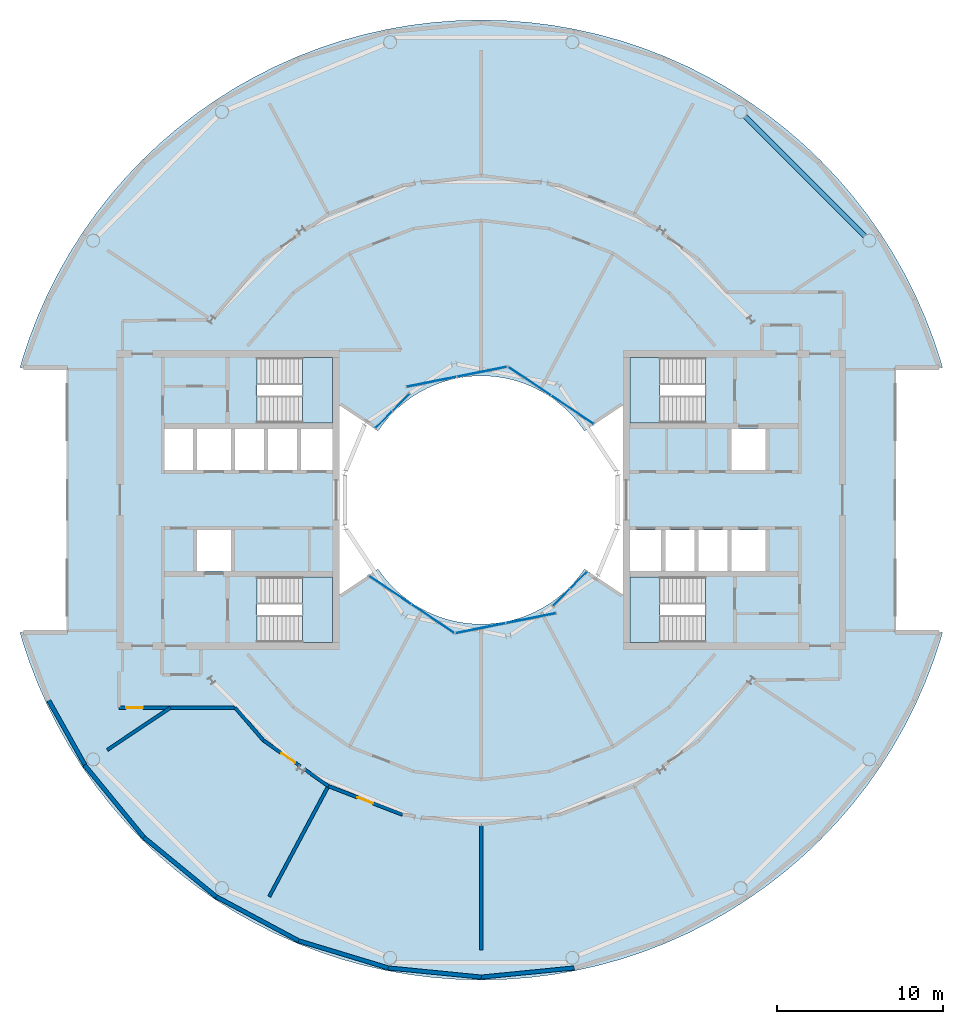
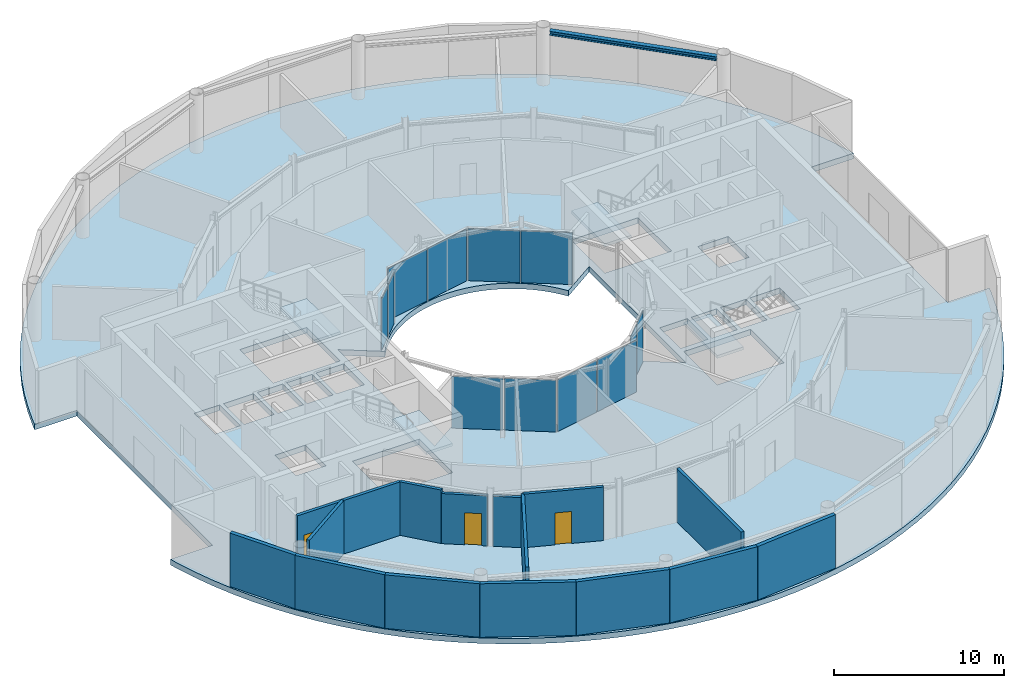
# One storey, part 11 of 19: 15 walls, 12 plates, 5 slabs, 3 doors, 1 beam, 3 openings, 10 elements without a shape of their own.
"""IFC4 building model written with IfcOpenShell, lengths in metres."""

from ifc_helpers import new_model, si_unit, direction, frame, frame_2d, origin, origin_2d, place, context, subcontext, project, spatial, polyline, rectangle, i_section, outline, extrude, material, layer, layer_set, material_profile, profile_set, type_object, element, fill, aggregate, save


model = new_model("IFC4")

# Units and contexts
model_context = context("Model", 3, precision=1e-05, world=origin(), true_north=direction((0.0, 1.0)))
body_context = subcontext(model_context, "Body", "Model", "MODEL_VIEW")
ifc_project = project(units=[si_unit("LENGTHUNIT", "METRE"), si_unit("AREAUNIT", "SQUARE_METRE"), si_unit("VOLUMEUNIT", "CUBIC_METRE"), si_unit("PLANEANGLEUNIT", "RADIAN"), si_unit("MASSUNIT", "GRAM", prefix="KILO")], contexts=[model_context])

# Site, building, storey
site_placement = place(None, origin())
site = spatial("IfcSite", under=ifc_project, at=site_placement, CompositionType="ELEMENT")
building_placement = place(site_placement, origin())
building = spatial("IfcBuilding", under=site, at=building_placement, Name="Maasbend Ring Residences", CompositionType="ELEMENT")
storey_placement = place(building_placement, frame((0.0, 0.0, 186.0)))
storey = spatial("IfcBuildingStorey", under=building, at=storey_placement, Name="L53", CompositionType="ELEMENT", Elevation=186.0)

# Beam
ifc_material_1 = material(Name="Steel S355J2", Category="steel")
ifc_material_profile = material_profile(ifc_material_1, i_section(OverallWidth=0.300048828125, OverallDepth=0.300048828125, WebThickness=0.010986328125, FlangeThickness=0.01904296875, FilletRadius=0.027099609375, at=origin_2d()), Name="HEB 300")
ifc_profile_set = profile_set([ifc_material_profile], Name="Steel S355J2")
beam_type = type_object("IfcBeamType", Name="Spandrel ring beam HEB 300", PredefinedType="SPANDREL", material=ifc_profile_set)
beam_placement = place(storey_placement, frame((23.159912109375, 15.95458984375, 3.699951171875), z_axis=(-0.707106781187, 0.707106781187, 0.0), x_axis=(-0.707106781187, -0.707106781187, 0.0)))
element("IfcBeam", 1, at=beam_placement, inside=storey, type_object=beam_type, Name="Spandrel ring beam", PredefinedType="SPANDREL", context=body_context, shape_type="SweptSolid", body=[
    extrude(i_section(OverallWidth=0.300048828125, OverallDepth=0.300048828125, WebThickness=0.010986328125, FlangeThickness=0.01904296875, FilletRadius=0.027099609375, at=origin_2d()), origin(), (0.0, 0.0, 1.0), 10.18994140625),
])

# Stair, slab
ifc_material_2 = material(Name="Concrete C40/50", Category="concrete")
stair_type = type_object("IfcStairType", Name="CORE STAIR 24 RISERS", PredefinedType="HALF_TURN_STAIR", material=ifc_material_2)
stair_1_placement = place(storey_placement, origin())
stair_1 = element("IfcStair", 2, at=stair_1_placement, inside=storey, type_object=stair_type, Name="L53 Exit stair ST-E1", PredefinedType="HALF_TURN_STAIR")
ifc_material_3 = material(Name="Concrete C40/50", Category="concrete")
ifc_layer_1 = layer(ifc_material_3, 0.199951171875)
ifc_layer_set_1 = layer_set([ifc_layer_1], Name="Concrete C40/50")
slab_type_1 = type_object("IfcSlabType", Name="CORE STAIR LANDING 200", PredefinedType="LANDING", material=ifc_layer_set_1)
slab_1_placement = place(storey_placement, frame((0.0, 0.0, 1.89990234375)))
slab_1 = element("IfcSlab", 3, at=slab_1_placement, type_object=slab_type_1, Name="ST-E1 landing 1", PredefinedType="LANDING", context=body_context, shape_type="SweptSolid", body=[
    extrude(outline(polyline([(10.800048828125, 8.60009765625), (9.0, 8.60009765625), (9.0, 4.64990234375), (10.800048828125, 4.64990234375), (10.800048828125, 8.60009765625)])), origin(), (0.0, 0.0, 1.0), 0.2001953125),
])
aggregate(stair_1, [slab_1])

stair_2_placement = place(storey_placement, origin())
stair_2 = element("IfcStair", 4, at=stair_2_placement, inside=storey, type_object=stair_type, Name="L53 Exit stair ST-E2", PredefinedType="HALF_TURN_STAIR")
slab_2_placement = place(storey_placement, frame((0.0, 0.0, 1.89990234375)))
slab_2 = element("IfcSlab", 5, at=slab_2_placement, type_object=slab_type_1, Name="ST-E2 landing 1", PredefinedType="LANDING", context=body_context, shape_type="SweptSolid", body=[
    extrude(outline(polyline([(10.800048828125, -4.64990234375), (9.0, -4.64990234375), (9.0, -8.60009765625), (10.800048828125, -8.60009765625), (10.800048828125, -4.64990234375)])), origin(), (0.0, 0.0, 1.0), 0.2001953125),
])
aggregate(stair_2, [slab_2])

stair_3_placement = place(storey_placement, origin())
stair_3 = element("IfcStair", 6, at=stair_3_placement, inside=storey, type_object=stair_type, Name="L53 Exit stair ST-W1", PredefinedType="HALF_TURN_STAIR")
slab_3_placement = place(storey_placement, frame((0.0, 0.0, 1.89990234375)))
slab_3 = element("IfcSlab", 7, at=slab_3_placement, type_object=slab_type_1, Name="ST-W1 landing 1", PredefinedType="LANDING", context=body_context, shape_type="SweptSolid", body=[
    extrude(outline(polyline([(-10.800048828125, -8.60009765625), (-9.0, -8.60009765625), (-9.0, -4.64990234375), (-10.800048828125, -4.64990234375), (-10.800048828125, -8.60009765625)])), origin(), (0.0, 0.0, 1.0), 0.2001953125),
])
aggregate(stair_3, [slab_3])

stair_4_placement = place(storey_placement, origin())
stair_4 = element("IfcStair", 8, at=stair_4_placement, inside=storey, type_object=stair_type, Name="L53 Exit stair ST-W2", PredefinedType="HALF_TURN_STAIR")
slab_4_placement = place(storey_placement, frame((0.0, 0.0, 1.89990234375)))
slab_4 = element("IfcSlab", 9, at=slab_4_placement, type_object=slab_type_1, Name="ST-W2 landing 1", PredefinedType="LANDING", context=body_context, shape_type="SweptSolid", body=[
    extrude(outline(polyline([(-10.800048828125, 4.64990234375), (-9.0, 4.64990234375), (-9.0, 8.60009765625), (-10.800048828125, 8.60009765625), (-10.800048828125, 4.64990234375)])), origin(), (0.0, 0.0, 1.0), 0.2001953125),
])
aggregate(stair_4, [slab_4])

# Curtain wall, plates
ifc_material_4 = material(Name="Aluminium and clear glass", Category="aluminium")
ifc_layer_2 = layer(ifc_material_4, 0.179931640625)
ifc_layer_set_2 = layer_set([ifc_layer_2], Name="CW-W")
curtain_wall_type = type_object("IfcCurtainWallType", Name="CW-W", PredefinedType="NOTDEFINED", material=ifc_layer_set_2)
curtain_wall_1_placement = place(storey_placement, origin())
curtain_wall_1 = element("IfcCurtainWall", 10, at=curtain_wall_1_placement, inside=storey, type_object=curtain_wall_type, Name="Well curtain wall N1", PredefinedType="NOTDEFINED")
ifc_material_5 = material(Name="Glass clear laminated", Category="glass")
ifc_layer_3 = layer(ifc_material_5, 0.031982421875)
ifc_layer_set_3 = layer_set([ifc_layer_3], Name="CWP-W")
plate_type = type_object("IfcPlateType", Name="CWP-W", PredefinedType="CURTAIN_PANEL", material=ifc_layer_set_3)
plate_1_placement = place(storey_placement, frame((5.51123046875, 5.44580078125, 0.0), z_axis=(0.0, 0.0, 1.0), x_axis=(-0.831469612303, 0.55557023302, 0.0)))
plate_1 = element("IfcPlate", 11, at=plate_1_placement, type_object=plate_type, Name="Glass panel well face", PredefinedType="CURTAIN_PANEL", context=body_context, shape_type="SweptSolid", body=[
    extrude(rectangle(XDim=3.053955078125, YDim=0.031982421875, at=origin_2d()), origin(), (0.0, 0.0, 1.0), 3.72998046875),
])
plate_2_placement = place(storey_placement, frame((2.922119140625, 7.17578125, 0.0), z_axis=(0.0, 0.0, 1.0), x_axis=(-0.831469612303, 0.55557023302, 0.0)))
plate_2 = element("IfcPlate", 12, at=plate_2_placement, type_object=plate_type, Name="Glass panel well face", PredefinedType="CURTAIN_PANEL", context=body_context, shape_type="SweptSolid", body=[
    extrude(rectangle(XDim=3.053955078125, YDim=0.031982421875, at=origin_2d()), origin(), (0.0, 0.0, 1.0), 3.72998046875),
])
aggregate(curtain_wall_1, [plate_1, plate_2])

curtain_wall_2_placement = place(storey_placement, origin())
curtain_wall_2 = element("IfcCurtainWall", 13, at=curtain_wall_2_placement, inside=storey, type_object=curtain_wall_type, Name="Well curtain wall N2", PredefinedType="NOTDEFINED")
plate_3_placement = place(storey_placement, frame((0.04638671875, 7.747802734375, 0.0), z_axis=(0.0, 0.0, 1.0), x_axis=(-0.980785280403, -0.195090322016, 0.0)))
plate_3 = element("IfcPlate", 14, at=plate_3_placement, type_object=plate_type, Name="Glass panel well face", PredefinedType="CURTAIN_PANEL", context=body_context, shape_type="SweptSolid", body=[
    extrude(rectangle(XDim=3.053955078125, YDim=0.031982421875, at=origin_2d()), origin(), (0.0, 0.0, 1.0), 3.72998046875),
])
plate_4_placement = place(storey_placement, frame((-3.0078125, 7.140380859375, 0.0), z_axis=(0.0, 0.0, 1.0), x_axis=(-0.980785280403, -0.195090322016, 0.0)))
plate_4 = element("IfcPlate", 15, at=plate_4_placement, type_object=plate_type, Name="Glass panel well face", PredefinedType="CURTAIN_PANEL", context=body_context, shape_type="SweptSolid", body=[
    extrude(rectangle(XDim=3.053955078125, YDim=0.031982421875, at=origin_2d()), origin(), (0.0, 0.0, 1.0), 3.72998046875),
])
aggregate(curtain_wall_2, [plate_3, plate_4])

curtain_wall_3_placement = place(storey_placement, origin())
curtain_wall_3 = element("IfcCurtainWall", 16, at=curtain_wall_3_placement, inside=storey, type_object=curtain_wall_type, Name="Well curtain wall N3", PredefinedType="NOTDEFINED")
plate_5_placement = place(storey_placement, frame((-4.84375, 5.89013671875, 0.0), z_axis=(0.0, 0.0, 1.0), x_axis=(-0.707106781187, -0.707106781187, 0.0)))
plate_5 = element("IfcPlate", 17, at=plate_5_placement, type_object=plate_type, Name="Glass panel well face", PredefinedType="CURTAIN_PANEL", context=body_context, shape_type="SweptSolid", body=[
    extrude(rectangle(XDim=1.419677734375, YDim=0.031982421875, at=origin_2d()), origin(), (0.0, 0.0, 1.0), 3.72998046875),
])
plate_6_placement = place(storey_placement, frame((-5.89013671875, 4.84375, 0.0), z_axis=(0.0, 0.0, 1.0), x_axis=(-0.707106781187, -0.707106781187, 0.0)))
plate_6 = element("IfcPlate", 18, at=plate_6_placement, type_object=plate_type, Name="Glass panel well face", PredefinedType="CURTAIN_PANEL", context=body_context, shape_type="SweptSolid", body=[
    extrude(rectangle(XDim=1.419677734375, YDim=0.031982421875, at=origin_2d()), origin(), (0.0, 0.0, 1.0), 3.72998046875),
])
aggregate(curtain_wall_3, [plate_5, plate_6])

curtain_wall_4_placement = place(storey_placement, origin())
curtain_wall_4 = element("IfcCurtainWall", 19, at=curtain_wall_4_placement, inside=storey, type_object=curtain_wall_type, Name="Well curtain wall S1", PredefinedType="NOTDEFINED")
plate_7_placement = place(storey_placement, frame((-5.51123046875, -5.44580078125, 0.0), z_axis=(0.0, 0.0, 1.0), x_axis=(0.831469612303, -0.55557023302, 0.0)))
plate_7 = element("IfcPlate", 20, at=plate_7_placement, type_object=plate_type, Name="Glass panel well face", PredefinedType="CURTAIN_PANEL", context=body_context, shape_type="SweptSolid", body=[
    extrude(rectangle(XDim=3.053955078125, YDim=0.031982421875, at=origin_2d()), origin(), (0.0, 0.0, 1.0), 3.72998046875),
])
plate_8_placement = place(storey_placement, frame((-2.922119140625, -7.17578125, 0.0), z_axis=(0.0, 0.0, 1.0), x_axis=(0.831469612303, -0.55557023302, 0.0)))
plate_8 = element("IfcPlate", 21, at=plate_8_placement, type_object=plate_type, Name="Glass panel well face", PredefinedType="CURTAIN_PANEL", context=body_context, shape_type="SweptSolid", body=[
    extrude(rectangle(XDim=3.053955078125, YDim=0.031982421875, at=origin_2d()), origin(), (0.0, 0.0, 1.0), 3.72998046875),
])
aggregate(curtain_wall_4, [plate_7, plate_8])

curtain_wall_5_placement = place(storey_placement, origin())
curtain_wall_5 = element("IfcCurtainWall", 22, at=curtain_wall_5_placement, inside=storey, type_object=curtain_wall_type, Name="Well curtain wall S2", PredefinedType="NOTDEFINED")
plate_9_placement = place(storey_placement, frame((-0.04638671875, -7.747802734375, 0.0), z_axis=(0.0, 0.0, 1.0), x_axis=(0.980785280403, 0.195090322016, 0.0)))
plate_9 = element("IfcPlate", 23, at=plate_9_placement, type_object=plate_type, Name="Glass panel well face", PredefinedType="CURTAIN_PANEL", context=body_context, shape_type="SweptSolid", body=[
    extrude(rectangle(XDim=3.053955078125, YDim=0.031982421875, at=origin_2d()), origin(), (0.0, 0.0, 1.0), 3.72998046875),
])
plate_10_placement = place(storey_placement, frame((3.0078125, -7.140380859375, 0.0), z_axis=(0.0, 0.0, 1.0), x_axis=(0.980785280403, 0.195090322016, 0.0)))
plate_10 = element("IfcPlate", 24, at=plate_10_placement, type_object=plate_type, Name="Glass panel well face", PredefinedType="CURTAIN_PANEL", context=body_context, shape_type="SweptSolid", body=[
    extrude(rectangle(XDim=3.053955078125, YDim=0.031982421875, at=origin_2d()), origin(), (0.0, 0.0, 1.0), 3.72998046875),
])
aggregate(curtain_wall_5, [plate_9, plate_10])

curtain_wall_6_placement = place(storey_placement, origin())
curtain_wall_6 = element("IfcCurtainWall", 25, at=curtain_wall_6_placement, inside=storey, type_object=curtain_wall_type, Name="Well curtain wall S3", PredefinedType="NOTDEFINED")
plate_11_placement = place(storey_placement, frame((4.84375, -5.89013671875, 0.0), z_axis=(0.0, 0.0, 1.0), x_axis=(0.707106781187, 0.707106781187, 0.0)))
plate_11 = element("IfcPlate", 26, at=plate_11_placement, type_object=plate_type, Name="Glass panel well face", PredefinedType="CURTAIN_PANEL", context=body_context, shape_type="SweptSolid", body=[
    extrude(rectangle(XDim=1.419677734375, YDim=0.031982421875, at=origin_2d()), origin(), (0.0, 0.0, 1.0), 3.72998046875),
])
plate_12_placement = place(storey_placement, frame((5.89013671875, -4.84375, 0.0), z_axis=(0.0, 0.0, 1.0), x_axis=(0.707106781187, 0.707106781187, 0.0)))
plate_12 = element("IfcPlate", 27, at=plate_12_placement, type_object=plate_type, Name="Glass panel well face", PredefinedType="CURTAIN_PANEL", context=body_context, shape_type="SweptSolid", body=[
    extrude(rectangle(XDim=1.419677734375, YDim=0.031982421875, at=origin_2d()), origin(), (0.0, 0.0, 1.0), 3.72998046875),
])
aggregate(curtain_wall_6, [plate_11, plate_12])

# Slab
ifc_material_6 = material(Name="Concrete C40/50", Category="concrete")
ifc_layer_4 = layer(ifc_material_6, 0.39990234375)
ifc_layer_set_4 = layer_set([ifc_layer_4], Name="Concrete C40/50")
slab_type_2 = type_object("IfcSlabType", Name="Post-tensioned flat plate 400", PredefinedType="FLOOR", material=ifc_layer_set_4)
slab_5_placement = place(storey_placement, frame((0.0, 0.0, -0.39990234375)))
element("IfcSlab", 28, at=slab_5_placement, inside=storey, type_object=slab_type_2, Name="Floor slab L53", PredefinedType="FLOOR", context=body_context, shape_type="SweptSolid", body=[
    extrude(outline(polyline([(26.2158203125, -12.399169921875), (26.79248046875, -11.097900390625), (27.3046875, -9.769775390625), (27.751220703125, -8.418212890625), (27.866943359375, -8.0), (25.0, -8.0), (25.0, 8.0), (27.866943359375, 8.0), (27.751220703125, 8.418212890625), (27.3046875, 9.769775390625), (26.79248046875, 11.097900390625), (26.2158203125, 12.399169921875), (25.57568359375, 13.67041015625), (24.8740234375, 14.908935546875), (24.112548828125, 16.111572265625), (23.29296875, 17.275390625), (22.417236328125, 18.3974609375), (21.487548828125, 19.47509765625), (20.506103515625, 20.506103515625), (19.47509765625, 21.487548828125), (18.3974609375, 22.417236328125), (17.275390625, 23.29296875), (16.111572265625, 24.112548828125), (14.908935546875, 24.8740234375), (13.67041015625, 25.57568359375), (12.399169921875, 26.2158203125), (11.097900390625, 26.79248046875), (9.769775390625, 27.3046875), (8.418212890625, 27.751220703125), (7.04638671875, 28.130859375), (5.65771484375, 28.44287109375), (4.255126953125, 28.68603515625), (2.842529296875, 28.8603515625), (1.423095703125, 28.965087890625), (0.0, 29.0), (-1.423095703125, 28.965087890625), (-2.842529296875, 28.8603515625), (-4.255126953125, 28.68603515625), (-5.65771484375, 28.44287109375), (-7.04638671875, 28.130859375), (-8.418212890625, 27.751220703125), (-9.769775390625, 27.3046875), (-11.097900390625, 26.79248046875), (-12.399169921875, 26.2158203125), (-13.67041015625, 25.57568359375), (-14.908935546875, 24.8740234375), (-16.111572265625, 24.112548828125), (-17.275390625, 23.29296875), (-18.3974609375, 22.417236328125), (-19.47509765625, 21.487548828125), (-20.506103515625, 20.506103515625), (-21.487548828125, 19.47509765625), (-22.417236328125, 18.3974609375), (-23.29296875, 17.275390625), (-24.112548828125, 16.111572265625), (-24.8740234375, 14.908935546875), (-25.57568359375, 13.67041015625), (-26.2158203125, 12.399169921875), (-26.79248046875, 11.097900390625), (-27.3046875, 9.769775390625), (-27.751220703125, 8.418212890625), (-27.866943359375, 8.0), (-25.0, 8.0), (-25.0, -8.0), (-27.866943359375, -8.0), (-27.751220703125, -8.418212890625), (-27.3046875, -9.769775390625), (-26.79248046875, -11.097900390625), (-26.2158203125, -12.399169921875), (-25.57568359375, -13.67041015625), (-24.8740234375, -14.908935546875), (-24.112548828125, -16.111572265625), (-23.29296875, -17.275390625), (-22.417236328125, -18.3974609375), (-21.487548828125, -19.47509765625), (-20.506103515625, -20.506103515625), (-19.47509765625, -21.487548828125), (-18.3974609375, -22.417236328125), (-17.275390625, -23.29296875), (-16.111572265625, -24.112548828125), (-14.908935546875, -24.8740234375), (-13.67041015625, -25.57568359375), (-12.399169921875, -26.2158203125), (-11.097900390625, -26.79248046875), (-9.769775390625, -27.3046875), (-8.418212890625, -27.751220703125), (-7.04638671875, -28.130859375), (-5.65771484375, -28.44287109375), (-4.255126953125, -28.68603515625), (-2.842529296875, -28.8603515625), (-1.423095703125, -28.965087890625), (0.0, -29.0), (1.423095703125, -28.965087890625), (2.842529296875, -28.8603515625), (4.255126953125, -28.68603515625), (5.65771484375, -28.44287109375), (7.04638671875, -28.130859375), (8.418212890625, -27.751220703125), (9.769775390625, -27.3046875), (11.097900390625, -26.79248046875), (12.399169921875, -26.2158203125), (13.67041015625, -25.57568359375), (14.908935546875, -24.8740234375), (16.111572265625, -24.112548828125), (17.275390625, -23.29296875), (18.3974609375, -22.417236328125), (19.47509765625, -21.487548828125), (20.506103515625, -20.506103515625), (21.487548828125, -19.47509765625), (22.417236328125, -18.3974609375), (23.29296875, -17.275390625), (24.112548828125, -16.111572265625), (24.8740234375, -14.908935546875), (25.57568359375, -13.67041015625), (26.2158203125, -12.399169921875)]), holes=[polyline([(15.125, 1.824951171875), (15.125, 4.27490234375), (17.175048828125, 4.27490234375), (17.175048828125, 1.824951171875), (15.125, 1.824951171875)]), polyline([(15.125, -4.27490234375), (15.125, -1.824951171875), (17.175048828125, -1.824951171875), (17.175048828125, -4.27490234375), (15.125, -4.27490234375)]), polyline([(13.125, -4.27490234375), (13.125, -1.824951171875), (14.875, -1.824951171875), (14.875, -4.27490234375), (13.125, -4.27490234375)]), polyline([(13.550048828125, 8.60009765625), (13.550048828125, 4.64990234375), (9.0, 4.64990234375), (9.0, 8.60009765625), (13.550048828125, 8.60009765625)]), polyline([(13.550048828125, -4.64990234375), (13.550048828125, -8.60009765625), (9.0, -8.60009765625), (9.0, -4.64990234375), (13.550048828125, -4.64990234375)]), polyline([(11.125, -4.27490234375), (11.125, -1.824951171875), (12.875, -1.824951171875), (12.875, -4.27490234375), (11.125, -4.27490234375)]), polyline([(9.0, -4.27490234375), (9.0, -1.824951171875), (10.875, -1.824951171875), (10.875, -4.27490234375), (9.0, -4.27490234375)]), polyline([(6.024169921875, 4.4677734375), (6.236083984375, 4.166748046875), (8.550048828125, 5.712890625), (8.550048828125, -5.712890625), (6.236083984375, -4.166748046875), (6.024169921875, -4.4677734375), (5.797607421875, -4.7578125), (5.55712890625, -5.03662109375), (5.30322265625, -5.30322265625), (5.03662109375, -5.55712890625), (4.7578125, -5.797607421875), (4.4677734375, -6.024169921875), (4.166748046875, -6.236083984375), (3.855712890625, -6.43310546875), (3.535400390625, -6.614501953125), (3.206787109375, -6.77978515625), (2.8701171875, -6.92919921875), (2.526611328125, -7.0615234375), (2.177001953125, -7.177001953125), (1.822509765625, -7.275146484375), (1.463134765625, -7.35595703125), (1.1005859375, -7.418701171875), (0.735107421875, -7.4638671875), (0.367919921875, -7.490966796875), (0.0, -7.5), (-0.367919921875, -7.490966796875), (-0.735107421875, -7.4638671875), (-1.1005859375, -7.418701171875), (-1.463134765625, -7.35595703125), (-1.822509765625, -7.275146484375), (-2.177001953125, -7.177001953125), (-2.526611328125, -7.0615234375), (-2.8701171875, -6.92919921875), (-3.206787109375, -6.77978515625), (-3.535400390625, -6.614501953125), (-3.855712890625, -6.43310546875), (-4.166748046875, -6.236083984375), (-4.4677734375, -6.024169921875), (-4.7578125, -5.797607421875), (-5.03662109375, -5.55712890625), (-5.30322265625, -5.30322265625), (-5.55712890625, -5.03662109375), (-5.797607421875, -4.7578125), (-6.024169921875, -4.4677734375), (-6.236083984375, -4.166748046875), (-8.550048828125, -5.712890625), (-8.550048828125, 5.712890625), (-6.236083984375, 4.166748046875), (-6.024169921875, 4.4677734375), (-5.797607421875, 4.7578125), (-5.55712890625, 5.03662109375), (-5.30322265625, 5.30322265625), (-5.03662109375, 5.55712890625), (-4.7578125, 5.797607421875), (-4.4677734375, 6.024169921875), (-4.166748046875, 6.236083984375), (-3.855712890625, 6.43310546875), (-3.535400390625, 6.614501953125), (-3.206787109375, 6.77978515625), (-2.8701171875, 6.92919921875), (-2.526611328125, 7.0615234375), (-2.177001953125, 7.177001953125), (-1.822509765625, 7.275146484375), (-1.463134765625, 7.35595703125), (-1.1005859375, 7.418701171875), (-0.735107421875, 7.4638671875), (-0.367919921875, 7.490966796875), (0.0, 7.5), (0.367919921875, 7.490966796875), (0.735107421875, 7.4638671875), (1.1005859375, 7.418701171875), (1.463134765625, 7.35595703125), (1.822509765625, 7.275146484375), (2.177001953125, 7.177001953125), (2.526611328125, 7.0615234375), (2.8701171875, 6.92919921875), (3.206787109375, 6.77978515625), (3.535400390625, 6.614501953125), (3.855712890625, 6.43310546875), (4.166748046875, 6.236083984375), (4.4677734375, 6.024169921875), (4.7578125, 5.797607421875), (5.03662109375, 5.55712890625), (5.30322265625, 5.30322265625), (5.55712890625, 5.03662109375), (5.797607421875, 4.7578125), (6.024169921875, 4.4677734375)]), polyline([(-13.550048828125, 4.64990234375), (-13.550048828125, 8.60009765625), (-9.0, 8.60009765625), (-9.0, 4.64990234375), (-13.550048828125, 4.64990234375)]), polyline([(-9.0, -8.60009765625), (-13.550048828125, -8.60009765625), (-13.550048828125, -4.64990234375), (-9.0, -4.64990234375), (-9.0, -8.60009765625)]), polyline([(-9.0, 4.27490234375), (-9.0, 1.824951171875), (-10.875, 1.824951171875), (-10.875, 4.27490234375), (-9.0, 4.27490234375)]), polyline([(-11.125, 4.27490234375), (-11.125, 1.824951171875), (-12.875, 1.824951171875), (-12.875, 4.27490234375), (-11.125, 4.27490234375)]), polyline([(-13.125, 4.27490234375), (-13.125, 1.824951171875), (-14.875, 1.824951171875), (-14.875, 4.27490234375), (-13.125, 4.27490234375)]), polyline([(-15.125, 4.27490234375), (-15.125, 1.824951171875), (-17.175048828125, 1.824951171875), (-17.175048828125, 4.27490234375), (-15.125, 4.27490234375)]), polyline([(-15.125, -1.824951171875), (-15.125, -4.27490234375), (-17.175048828125, -4.27490234375), (-17.175048828125, -1.824951171875), (-15.125, -1.824951171875)]), polyline([(-17.425048828125, 4.27490234375), (-17.425048828125, 1.824951171875), (-19.14990234375, 1.824951171875), (-19.14990234375, 4.27490234375), (-17.425048828125, 4.27490234375)])]), origin(), (0.0, 0.0, 1.0), 0.39990234375),
])

# Wall
ifc_material_7 = material(Name="Concrete C30/37", Category="concrete")
ifc_layer_5 = layer(ifc_material_7, 0.199951171875)
ifc_layer_set_5 = layer_set([ifc_layer_5], Name="Concrete C30/37")
wall_type_1 = type_object("IfcWallType", Name="COMPARTMENT WALL 200 CONCRETE", PredefinedType="PARTITIONING", material=ifc_layer_set_5)
wall_1_placement = place(storey_placement, frame((-14.867919921875, -12.5458984375, 0.0), z_axis=(0.0, 0.0, 1.0), x_axis=(0.653045064141, -0.757319050467, 0.0)))
element("IfcWall", 29, at=wall_1_placement, inside=storey, type_object=wall_type_1, Name="U-L53-w004", PredefinedType="PARTITIONING", context=body_context, shape_type="SweptSolid", body=[
    extrude(rectangle(XDim=2.610595703125, YDim=0.199951171875, at=frame_2d((1.30517578125, 0.0))), origin(), (0.0, 0.0, 1.0), 3.85009765625),
])

# Wall, opening, door
wall_2_placement = place(storey_placement, frame((-13.1630859375, -14.52294921875, 0.0), z_axis=(0.0, 0.0, 1.0), x_axis=(0.817664396292, -0.57569517545, 0.0)))
wall_2 = element("IfcWall", 30, at=wall_2_placement, inside=storey, type_object=wall_type_1, Name="U-L53-w005", PredefinedType="PARTITIONING", context=body_context, shape_type="SweptSolid", body=[
    extrude(rectangle(XDim=2.727294921875, YDim=0.199951171875, at=frame_2d((1.36376953125, 0.0))), origin(), (0.0, 0.0, 1.0), 3.60009765625),
])
opening_1_placement = place(wall_2_placement, frame((1.35009765625, 0.0, 0.0)))
opening_1 = element("IfcOpeningElement", 31, at=opening_1_placement, cuts=wall_2, Name="Opening D-5311", PredefinedType="OPENING", context=body_context, shape_type="SweptSolid", body=[
    extrude(rectangle(XDim=1.0, YDim=2.300048828125, at=frame_2d((0.5, 1.14990234375))), frame((0.0, 0.10986328125, 0.0), z_axis=(0.0, -1.0, 0.0), x_axis=(1.0, 0.0, 0.0)), (0.0, 0.0, 1.0), 0.219970703125),
])
ifc_material_8 = material(Name="Steel, fire-rated, painted", Category="steel")
door_type = type_object("IfcDoorType", Name="PLANT DOOR 1000 X 2300 FIRE-RATED", OperationType="NOTDEFINED", PredefinedType="DOOR", material=ifc_material_8)
door_1_placement = place(opening_1_placement, origin())
door_1 = element("IfcDoor", 32, at=door_1_placement, inside=storey, type_object=door_type, Name="D-5311", OperationType="SINGLE_SWING_RIGHT", OverallHeight=2.300048828125, OverallWidth=1.0, PredefinedType="DOOR", context=body_context, shape_type="SweptSolid", body=[
    extrude(rectangle(XDim=1.0, YDim=2.300048828125, at=frame_2d((0.5, 1.14990234375))), frame((0.0, 0.02490234375, 0.0), z_axis=(0.0, -1.0, 0.0), x_axis=(1.0, 0.0, 0.0)), (0.0, 0.0, 1.0), 0.050048828125),
])
fill(opening_1, door_1)

# Wall
wall_3_placement = place(storey_placement, frame((-10.68798828125, -16.26611328125, 0.0), z_axis=(0.0, 0.0, 1.0), x_axis=(0.817772792535, -0.575541188613, 0.0)))
element("IfcWall", 33, at=wall_3_placement, inside=storey, type_object=wall_type_1, Name="U-L53-w006", PredefinedType="PARTITIONING", context=body_context, shape_type="SweptSolid", body=[
    extrude(rectangle(XDim=1.77197265625, YDim=0.199951171875, at=frame_2d((0.885986328125, 0.0))), origin(), (0.0, 0.0, 1.0), 3.60009765625),
])

# Wall, opening, door
wall_4_placement = place(storey_placement, frame((-9.239013671875, -17.285888671875, 0.0), z_axis=(0.0, 0.0, 1.0), x_axis=(0.932988479706, -0.359906233255, 0.0)))
wall_4 = element("IfcWall", 34, at=wall_4_placement, inside=storey, type_object=wall_type_1, Name="U-L53-w007", PredefinedType="PARTITIONING", context=body_context, shape_type="SweptSolid", body=[
    extrude(rectangle(XDim=4.798583984375, YDim=0.199951171875, at=frame_2d((2.3994140625, 0.0))), origin(), (0.0, 0.0, 1.0), 3.85009765625),
])
opening_2_placement = place(wall_4_placement, frame((1.89892578125, 0.0, 0.0)))
opening_2 = element("IfcOpeningElement", 35, at=opening_2_placement, cuts=wall_4, Name="Opening D-5312", PredefinedType="OPENING", context=body_context, shape_type="SweptSolid", body=[
    extrude(rectangle(XDim=1.0, YDim=2.300048828125, at=frame_2d((0.5, 1.14990234375))), frame((0.0, 0.10986328125, 0.0), z_axis=(0.0, -1.0, 0.0), x_axis=(1.0, 0.0, 0.0)), (0.0, 0.0, 1.0), 0.219970703125),
])
door_2_placement = place(opening_2_placement, origin())
door_2 = element("IfcDoor", 36, at=door_2_placement, inside=storey, type_object=door_type, Name="D-5312", OperationType="SINGLE_SWING_RIGHT", OverallHeight=2.300048828125, OverallWidth=1.0, PredefinedType="DOOR", context=body_context, shape_type="SweptSolid", body=[
    extrude(rectangle(XDim=1.0, YDim=2.300048828125, at=frame_2d((0.5, 1.14990234375))), frame((0.0, 0.02490234375, 0.0), z_axis=(0.0, -1.0, 0.0), x_axis=(1.0, 0.0, 0.0)), (0.0, 0.0, 1.0), 0.050048828125),
])
fill(opening_2, door_2)

wall_5_placement = place(storey_placement, frame((-21.89990234375, -12.550048828125, 0.0), z_axis=(0.0, 0.0, 1.0), x_axis=(1.0, 0.0, 0.0)))
wall_5 = element("IfcWall", 37, at=wall_5_placement, inside=storey, type_object=wall_type_1, Name="U-L53-w026", PredefinedType="PARTITIONING", context=body_context, shape_type="SweptSolid", body=[
    extrude(rectangle(XDim=7.034912109375, YDim=0.199951171875, at=frame_2d((3.517578125, 0.0))), origin(), (0.0, 0.0, 1.0), 3.85009765625),
])
opening_3_placement = place(wall_5_placement, frame((0.449951171875, 0.0, 0.0)))
opening_3 = element("IfcOpeningElement", 38, at=opening_3_placement, cuts=wall_5, Name="Opening D-5319", PredefinedType="OPENING", context=body_context, shape_type="SweptSolid", body=[
    extrude(rectangle(XDim=1.0, YDim=2.300048828125, at=frame_2d((0.5, 1.14990234375))), frame((0.0, 0.10986328125, 0.0), z_axis=(0.0, -1.0, 0.0), x_axis=(1.0, 0.0, 0.0)), (0.0, 0.0, 1.0), 0.219970703125),
])
door_3_placement = place(opening_3_placement, origin())
door_3 = element("IfcDoor", 39, at=door_3_placement, inside=storey, type_object=door_type, Name="D-5319", OperationType="SINGLE_SWING_LEFT", OverallHeight=2.300048828125, OverallWidth=1.0, PredefinedType="DOOR", context=body_context, shape_type="SweptSolid", body=[
    extrude(rectangle(XDim=1.0, YDim=2.300048828125, at=frame_2d((0.5, 1.14990234375))), frame((0.0, 0.02490234375, 0.0), z_axis=(0.0, -1.0, 0.0), x_axis=(1.0, 0.0, 0.0)), (0.0, 0.0, 1.0), 0.050048828125),
])
fill(opening_3, door_3)

# Walls
wall_6_placement = place(storey_placement, frame((-22.593994140625, -15.09912109375, 0.0), z_axis=(0.0, 0.0, 1.0), x_axis=(0.831435525834, 0.555621243637, 0.0)))
element("IfcWall", 40, at=wall_6_placement, inside=storey, type_object=wall_type_1, Name="U-L53-w032", PredefinedType="PARTITIONING", context=body_context, shape_type="SweptSolid", body=[
    extrude(rectangle(XDim=4.5859375, YDim=0.199951171875, at=frame_2d((2.29296875, 0.0))), origin(), (0.0, 0.0, 1.0), 3.85009765625),
])
wall_7_placement = place(storey_placement, frame((-12.81005859375, -23.966064453125, 0.0), z_axis=(0.0, 0.0, 1.0), x_axis=(0.471439510802, 0.881898399848, 0.0)))
element("IfcWall", 41, at=wall_7_placement, inside=storey, type_object=wall_type_1, Name="U-L53-w034", PredefinedType="PARTITIONING", context=body_context, shape_type="SweptSolid", body=[
    extrude(rectangle(XDim=7.57470703125, YDim=0.199951171875, at=frame_2d((3.787353515625, 0.0))), origin(), (0.0, 0.0, 1.0), 3.85009765625),
])
wall_8_placement = place(storey_placement, frame((0.0, -27.175048828125, 0.0), z_axis=(0.0, 0.0, 1.0), x_axis=(0.0, 1.0, 0.0)))
element("IfcWall", 42, at=wall_8_placement, inside=storey, type_object=wall_type_1, Name="U-L53-w037", PredefinedType="PARTITIONING", context=body_context, shape_type="SweptSolid", body=[
    extrude(rectangle(XDim=7.574951171875, YDim=0.199951171875, at=frame_2d((3.78759765625, 0.0))), origin(), (0.0, 0.0, 1.0), 3.85009765625),
])
ifc_material_9 = material(Name="Louvred aluminium panel", Category="aluminium")
ifc_layer_6 = layer(ifc_material_9, 0.25)
ifc_layer_set_6 = layer_set([ifc_layer_6], Name="EW-LV")
wall_type_2 = type_object("IfcWallType", Name="EW-LV", PredefinedType="SOLIDWALL", material=ifc_layer_set_6)
for number, where, z_axis, x_axis, name in (
    (43, (-23.967041015625, -16.013916015625, 0.0), (0.0, 0.0, 1.0), (0.634403999748, -0.773001659186, 0.0), "External wall S01"),
    (44, (-20.382080078125, -20.382080078125, 0.0), (0.0, 0.0, 1.0), (0.773001659186, -0.634403999748, 0.0), "External wall S02"),
):
    element("IfcWall", number, at=place(storey_placement, frame(where, z_axis=z_axis, x_axis=x_axis)), inside=storey, type_object=wall_type_2, Name=name, PredefinedType="SOLIDWALL", context=body_context, shape_type="SweptSolid", body=[
        extrude(rectangle(XDim=5.65087890625, YDim=0.25, at=frame_2d((2.825439453125, 0.0))), origin(), (0.0, 0.0, 1.0), 3.85009765625),
    ])
wall_9_placement = place(storey_placement, frame((-16.013916015625, -23.967041015625, 0.0), z_axis=(0.0, 0.0, 1.0), x_axis=(0.881874058161, -0.471485042756, 0.0)))
element("IfcWall", 45, at=wall_9_placement, inside=storey, type_object=wall_type_2, Name="External wall S03", PredefinedType="SOLIDWALL", context=body_context, shape_type="SweptSolid", body=[
    extrude(rectangle(XDim=5.650390625, YDim=0.25, at=frame_2d((2.8251953125, 0.0))), origin(), (0.0, 0.0, 1.0), 3.85009765625),
])
wall_10_placement = place(storey_placement, frame((-11.031005859375, -26.631103515625, 0.0), z_axis=(0.0, 0.0, 1.0), x_axis=(0.956969521741, -0.29018844646, 0.0)))
element("IfcWall", 46, at=wall_10_placement, inside=storey, type_object=wall_type_2, Name="External wall S04", PredefinedType="SOLIDWALL", context=body_context, shape_type="SweptSolid", body=[
    extrude(rectangle(XDim=5.651123046875, YDim=0.25, at=frame_2d((2.82568359375, 0.0))), origin(), (0.0, 0.0, 1.0), 3.85009765625),
])
for number, where, z_axis, x_axis, name in (
    (47, (-5.623046875, -28.27099609375, 0.0), (0.0, 0.0, 1.0), (0.995182425127, -0.098040505497, 0.0), "External wall S05"),
    (48, (0.0, -28.824951171875, 0.0), (0.0, 0.0, 1.0), (0.995182425127, 0.098040505497, 0.0), "External wall S06"),
):
    element("IfcWall", number, at=place(storey_placement, frame(where, z_axis=z_axis, x_axis=x_axis)), inside=storey, type_object=wall_type_2, Name=name, PredefinedType="SOLIDWALL", context=body_context, shape_type="SweptSolid", body=[
        extrude(rectangle(XDim=5.650146484375, YDim=0.25, at=frame_2d((2.8251953125, 0.0))), origin(), (0.0, 0.0, 1.0), 3.85009765625),
    ])
wall_11_placement = place(storey_placement, frame((-26.126953125, -12.116943359375, 0.0), z_axis=(0.0, 0.0, 1.0), x_axis=(0.489696356642, -0.871893042919, 0.0)))
element("IfcWall", 49, at=wall_11_placement, inside=storey, type_object=wall_type_2, Name="Horn wall 3.2", PredefinedType="SOLIDWALL", context=body_context, shape_type="SweptSolid", body=[
    extrude(rectangle(XDim=4.45361328125, YDim=0.25, at=frame_2d((2.226806640625, 0.0))), origin(), (0.0, 0.0, 1.0), 3.85009765625),
])

save(model, "model.ifc")
